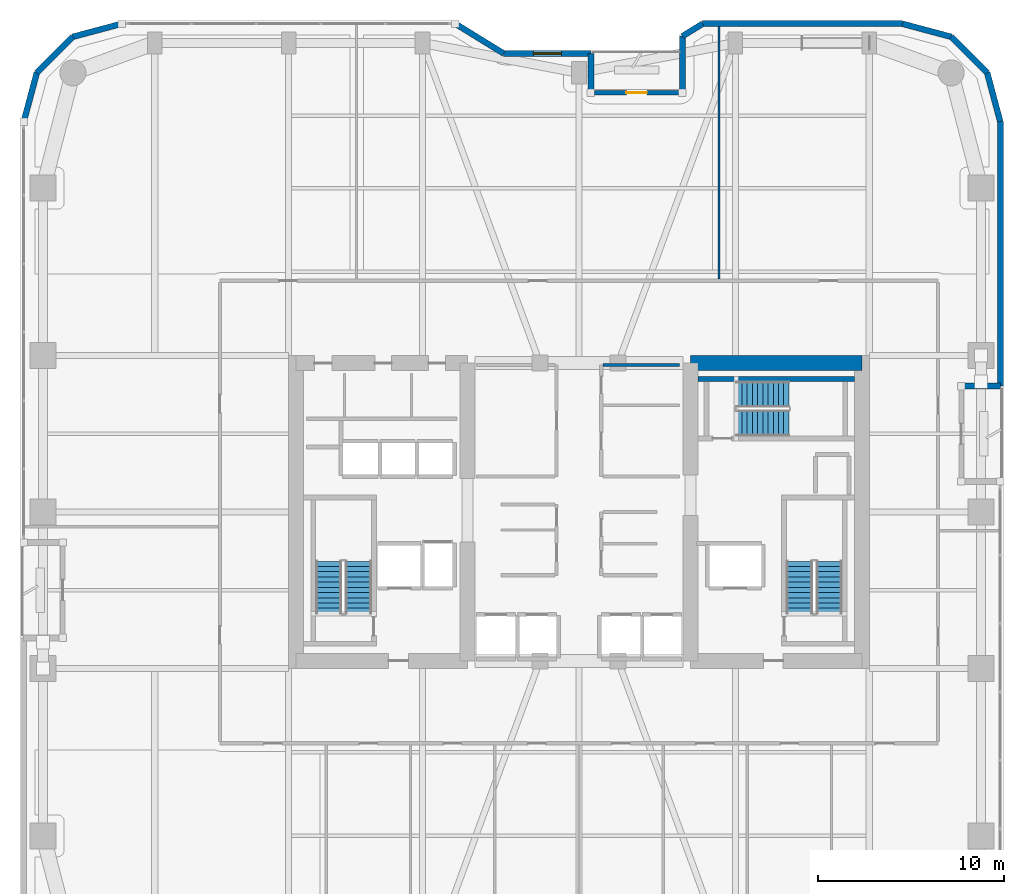
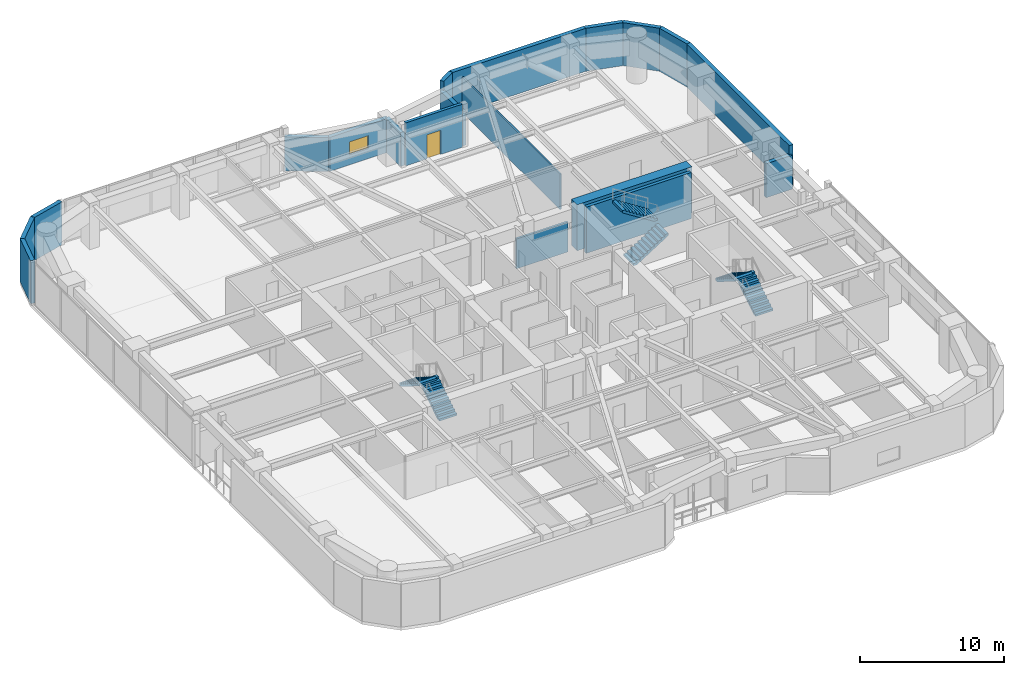
# One storey, part 21 of 24: 19 walls, 6 stair flights, 1 door, 1 window, 2 openings, 3 elements without a shape of their own.
"""IFC4 building model written with IfcOpenShell, lengths in metres."""

import ifcopenshell
import ifcopenshell.guid

model = None  # the IFC model being written
_history = None  # IfcOwnerHistory: only IFC2X3 demands one
_inside = {}  # id of a spatial element -> (the spatial element, [elements in it])
_under = {}  # id of a project, library or spatial element -> (it, [spatial elements below it])
_declared = {}  # id of a project -> (the project, [libraries it declares])
_typed = {}  # id of a type object -> (the type object, [elements of that type])
_made_of = {}  # id of a material, layer set ... -> (it, [elements and type objects made of it])


def new_model(schema):
    """Start an empty IFC model of exactly this schema.

    Asked for "IFC4X3", IfcOpenShell would pick the latest addendum, in which some entities
    have other attributes; the version numbers below select the first issue.
    IFC2X3 requires an IfcOwnerHistory on every rooted entity: one is made here for all.
    """
    global model, _history
    if schema == "IFC4X3":
        model = ifcopenshell.file(schema_version=(4, 3, 0, 0))
    else:
        model = ifcopenshell.file(schema=schema)
    _inside.clear()
    _under.clear()
    _declared.clear()
    _typed.clear()
    _made_of.clear()
    _history = None
    if model.schema == "IFC2X3":
        org = make("IfcOrganization", Name="unknown")
        user = make(
            "IfcPersonAndOrganization",
            ThePerson=make("IfcPerson", FamilyName="unknown"),
            TheOrganization=org,
        )
        app = make(
            "IfcApplication",
            ApplicationDeveloper=org,
            Version="unknown",
            ApplicationFullName="unknown",
            ApplicationIdentifier="unknown",
        )
        _history = make(
            "IfcOwnerHistory",
            OwningUser=user,
            OwningApplication=app,
            ChangeAction="ADDED",
            CreationDate=0,
        )
    return model


def make(cls, **values):
    """One entity of the class cls with the attributes given. An attribute that is None is left unset."""
    return model.create_entity(
        cls, **{name: value for name, value in values.items() if value is not None}
    )


def rooted(cls, **values):
    """An entity with a GlobalId (a new one), such as an element, a storey or a relation."""
    return make(cls, GlobalId=ifcopenshell.guid.new(), OwnerHistory=_history, **values)


def si_unit(unit_type, name, prefix=None):
    """IfcSIUnit, for example si_unit("LENGTHUNIT", "METRE", prefix="MILLI")."""
    return make("IfcSIUnit", UnitType=unit_type, Prefix=prefix, Name=name)


def assignment(units):
    """IfcUnitAssignment: the units of a project."""
    return None if units is None else make("IfcUnitAssignment", Units=units)


def point(xyz):
    """IfcCartesianPoint."""
    return None if xyz is None else make("IfcCartesianPoint", Coordinates=xyz)


def direction(xyz):
    """IfcDirection."""
    return None if xyz is None else make("IfcDirection", DirectionRatios=xyz)


def frame(location, z_axis=None, x_axis=None):
    """IfcAxis2Placement3D, a coordinate frame: its origin and axes. An axis left out is left unset."""
    return make(
        "IfcAxis2Placement3D",
        Location=point(location),
        Axis=direction(z_axis),
        RefDirection=direction(x_axis),
    )


def frame_2d(location, x_axis=None):
    """IfcAxis2Placement2D, a coordinate frame in the plane: its origin and x axis."""
    return make(
        "IfcAxis2Placement2D", Location=point(location), RefDirection=direction(x_axis)
    )


def origin():
    """The frame at (0, 0, 0) with its axes left unset."""
    return frame((0.0, 0.0, 0.0))


def place(relative_to, where):
    """IfcLocalPlacement: puts the frame where relative to a parent placement (None: the world)."""
    return make(
        "IfcLocalPlacement", PlacementRelTo=relative_to, RelativePlacement=where
    )


def context(
    kind, dimensions, precision=None, world=None, true_north=None, identifier=None
):
    """IfcGeometricRepresentationContext, for example the 3D "Model" context."""
    return make(
        "IfcGeometricRepresentationContext",
        ContextIdentifier=identifier,
        ContextType=kind,
        CoordinateSpaceDimension=dimensions,
        Precision=precision,
        WorldCoordinateSystem=world,
        TrueNorth=true_north,
    )


def subcontext(parent, identifier, kind, view, scale=None):
    """IfcGeometricRepresentationSubContext, for example "Body" below "Model"."""
    return make(
        "IfcGeometricRepresentationSubContext",
        ContextIdentifier=identifier,
        ContextType=kind,
        ParentContext=parent,
        TargetScale=scale,
        TargetView=view,
    )


def project(units=None, contexts=None):
    """IfcProject with its units and contexts."""
    return rooted(
        "IfcProject",
        Name="project",
        RepresentationContexts=contexts,
        UnitsInContext=assignment(units),
    )


def spatial(cls, under=None, at=None, **own):
    """A site, building, storey or space (cls), placed at a placement, below another one or the project."""
    s = rooted(cls, ObjectPlacement=at, **own)
    if under is not None:
        _under.setdefault(under.id(), (under, []))[1].append(s)
    return s


def polyline(points):
    """IfcPolyline through the points."""
    return make("IfcPolyline", Points=[point(p) for p in points])


def profile(cls, at=None, kind="AREA", **sizes):
    """A parametric profile (cls). Its sizes go by their IFC names, for example OverallWidth=200.0."""
    return make(cls, ProfileType=kind, Position=at, **sizes)


def rectangle(**sizes):
    """IfcRectangleProfileDef."""
    return profile("IfcRectangleProfileDef", **sizes)


def outline(outer, holes=None, kind="AREA"):
    """IfcArbitraryClosedProfileDef: a profile drawn as a closed curve; with holes, ...WithVoids."""
    if holes is None:
        return make("IfcArbitraryClosedProfileDef", ProfileType=kind, OuterCurve=outer)
    return make(
        "IfcArbitraryProfileDefWithVoids",
        ProfileType=kind,
        OuterCurve=outer,
        InnerCurves=holes,
    )


def extrude(swept, where, along, depth):
    """IfcExtrudedAreaSolid: the profile swept, set in the frame where, extruded along a direction by depth."""
    return make(
        "IfcExtrudedAreaSolid",
        SweptArea=swept,
        Position=where,
        ExtrudedDirection=direction(along),
        Depth=depth,
    )


def shape(context_of_items, identifier, shape_type, items):
    """IfcShapeRepresentation: the items that make up one representation, for example the "Body"."""
    return make(
        "IfcShapeRepresentation",
        ContextOfItems=context_of_items,
        RepresentationIdentifier=identifier,
        RepresentationType=shape_type,
        Items=items,
    )


def material(Name=None, Category=None):
    """IfcMaterial."""
    return make("IfcMaterial", Name=Name, Category=Category)


def layer(
    of_material, thickness, ventilated=None, Name=None, Category=None, Priority=None
):
    """IfcMaterialLayer: one layer of a wall or slab, of a material (None: an air gap)."""
    return make(
        "IfcMaterialLayer",
        Material=of_material,
        LayerThickness=thickness,
        IsVentilated=ventilated,
        Name=Name,
        Category=Category,
        Priority=Priority,
    )


def layer_set(layers, Name=None):
    """IfcMaterialLayerSet."""
    return make("IfcMaterialLayerSet", MaterialLayers=layers, LayerSetName=Name)


def made_of(thing, what):
    """Note that an element or type object is made of a material, layer set ...; save() writes the relation."""
    if what is not None:
        _made_of.setdefault(what.id(), (what, []))[1].append(thing)
    return thing


def type_object(cls, material=None, **own):
    """A type object (cls), such as IfcWallType, which elements share."""
    return made_of(rooted(cls, **own), material)


def element(
    cls,
    number,
    at=None,
    inside=None,
    cuts=None,
    type_object=None,
    material=None,
    context=None,
    identifier="Body",
    shape_type=None,
    held_by="IfcProductDefinitionShape",
    body=None,
    shapes=None,
    **own,
):
    """One element of the class cls, such as IfcWall. Its Tag is "e" and its number.

    at: its placement. inside: the storey or other place that contains it. cuts: it is an
    opening in that element (IfcRelVoidsElement). A single representation is given by context,
    identifier, shape_type and body (its items); several are given by shapes. held_by: the class
    of the entity that holds the representations. save() writes the other relations.
    """
    e = rooted(cls, Tag="e%d" % number, ObjectPlacement=at, **own)
    if body is not None:
        shapes = [shape(context, identifier, shape_type, body)]
    if shapes is not None:
        e.Representation = make(held_by, Representations=shapes)
    if inside is not None:
        _inside.setdefault(inside.id(), (inside, []))[1].append(e)
    if cuts is not None:
        rooted(
            "IfcRelVoidsElement", RelatingBuildingElement=cuts, RelatedOpeningElement=e
        )
    if type_object is not None:
        _typed.setdefault(type_object.id(), (type_object, []))[1].append(e)
    return made_of(e, material)


def fill(opening, filler):
    """IfcRelFillsElement: the door or window that sits in an opening."""
    return rooted(
        "IfcRelFillsElement",
        RelatingOpeningElement=opening,
        RelatedBuildingElement=filler,
    )


def aggregate(whole, parts):
    """IfcRelAggregates: a whole, such as a stair, and the parts it consists of."""
    return rooted("IfcRelAggregates", RelatingObject=whole, RelatedObjects=parts)


def save(model, path):
    """Write the relations noted so far, then the file.

    IfcRelAggregates (storeys below a building ...), IfcRelContainedInSpatialStructure (elements
    in a storey), IfcRelDefinesByType, IfcRelAssociatesMaterial and IfcRelDeclares: one each for
    every whole, place, type object, material and project.
    """
    for whole, parts in _under.values():
        aggregate(whole, parts)
    for where, things in _inside.values():
        rooted(
            "IfcRelContainedInSpatialStructure",
            RelatedElements=things,
            RelatingStructure=where,
        )
    for kind, things in _typed.values():
        rooted("IfcRelDefinesByType", RelatedObjects=things, RelatingType=kind)
    for what, things in _made_of.values():
        rooted("IfcRelAssociatesMaterial", RelatedObjects=things, RelatingMaterial=what)
    for by, libraries in _declared.values():
        rooted("IfcRelDeclares", RelatingContext=by, RelatedDefinitions=libraries)
    model.write(path)


model = new_model("IFC4")

# Units and contexts
model_context = context("Model", 3, precision=1e-05, world=origin(), true_north=direction((0.0, 1.0)))
body_context = subcontext(model_context, "Body", "Model", "MODEL_VIEW")
ifc_project = project(units=[si_unit("LENGTHUNIT", "METRE"), si_unit("AREAUNIT", "SQUARE_METRE"), si_unit("VOLUMEUNIT", "CUBIC_METRE"), si_unit("PLANEANGLEUNIT", "RADIAN"), si_unit("MASSUNIT", "GRAM", prefix="KILO")], contexts=[model_context])

# Site, building, storey
site_placement = place(None, origin())
site = spatial("IfcSite", under=ifc_project, at=site_placement, CompositionType="ELEMENT")
building_placement = place(site_placement, origin())
building = spatial("IfcBuilding", under=site, at=building_placement, Name="Kiyonajd Concourse Tower", CompositionType="ELEMENT")
storey_placement = place(building_placement, frame((0.0, 0.0, 109.199951171875)))
storey = spatial("IfcBuildingStorey", under=building, at=storey_placement, Name="L28", CompositionType="ELEMENT", Elevation=109.199951171875)

# Walls
ifc_material_1 = material(Name="Concrete C70/85", Category="concrete")
ifc_layer_1 = layer(ifc_material_1, 0.800048828125)
ifc_layer_set_1 = layer_set([ifc_layer_1], Name="Concrete C70/85")
wall_type_1 = type_object("IfcWallType", Name="WL-CORE-800", PredefinedType="SHEAR", material=ifc_layer_set_1)
wall_1_placement = place(storey_placement, frame((54.0, 44.0, 0.0), z_axis=(0.0, 0.0, 1.0), x_axis=(1.0, 0.0, 0.0)))
element("IfcWall", 1, at=wall_1_placement, inside=storey, type_object=wall_type_1, Name="L28 East Core North Shear Wall", PredefinedType="SHEAR", context=body_context, shape_type="SweptSolid", body=[
    extrude(rectangle(XDim=9.199951171875, YDim=0.800048828125, at=frame_2d((4.60009765625, 0.0))), origin(), (0.0, 0.0, 1.0), 3.900146484375),
])
ifc_material_2 = material(Name="Precast concrete C50/60", Category="concrete")
ifc_layer_2 = layer(ifc_material_2, 0.320068359375)
ifc_layer_set_2 = layer_set([ifc_layer_2], Name="Precast concrete C50/60")
wall_type_2 = type_object("IfcWallType", Name="WL-EXT-320", PredefinedType="SOLIDWALL", material=ifc_layer_set_2)
wall_2_placement = place(storey_placement, frame((18.159912109375, 56.97900390625, 0.0), z_axis=(0.0, 0.0, 1.0), x_axis=(0.25869736047, 0.965958423373, 0.0)))
element("IfcWall", 2, at=wall_2_placement, inside=storey, type_object=wall_type_2, Name="L28 Exterior Concrete Frame Wall 06", PredefinedType="SOLIDWALL", context=body_context, shape_type="SweptSolid", body=[
    extrude(rectangle(XDim=2.731201171875, YDim=0.320068359375, at=frame_2d((1.36572265625, 0.0))), origin(), (0.0, 0.0, 1.0), 3.64013671875),
])
wall_3_placement = place(storey_placement, frame((18.866455078125, 59.6171875, 0.0), z_axis=(0.0, 0.0, 1.0), x_axis=(0.707106781187, 0.707106781187, 0.0)))
element("IfcWall", 3, at=wall_3_placement, inside=storey, type_object=wall_type_2, Name="L28 Exterior Concrete Frame Wall 07", PredefinedType="SOLIDWALL", context=body_context, shape_type="SweptSolid", body=[
    extrude(rectangle(XDim=2.7099609375, YDim=0.320068359375, at=frame_2d((1.35498046875, 0.0))), origin(), (0.0, 0.0, 1.0), 3.64013671875),
])
wall_4_placement = place(storey_placement, frame((20.78271484375, 61.533447265625, 0.0), z_axis=(0.0, 0.0, 1.0), x_axis=(0.965964405026, 0.25867502435, 0.0)))
element("IfcWall", 4, at=wall_4_placement, inside=storey, type_object=wall_type_2, Name="L28 Exterior Concrete Frame Wall 08", PredefinedType="SOLIDWALL", context=body_context, shape_type="SweptSolid", body=[
    extrude(rectangle(XDim=2.7314453125, YDim=0.320068359375, at=frame_2d((1.36572265625, 0.0))), origin(), (0.0, 0.0, 1.0), 3.64013671875),
])
wall_5_placement = place(storey_placement, frame((41.354736328125, 62.239990234375, 0.0), z_axis=(0.0, 0.0, 1.0), x_axis=(0.851630857047, -0.524142044989, 0.0)))
element("IfcWall", 5, at=wall_5_placement, inside=storey, type_object=wall_type_2, Name="L28 Exterior Concrete Frame Wall 10", PredefinedType="SOLIDWALL", context=body_context, shape_type="SweptSolid", body=[
    extrude(rectangle(XDim=3.052734375, YDim=0.320068359375, at=frame_2d((1.5263671875, 0.0))), origin(), (0.0, 0.0, 1.0), 2.875),
])

# Wall, opening, window
wall_6_placement = place(storey_placement, frame((43.95458984375, 60.639892578125, 0.0), z_axis=(0.0, 0.0, 1.0), x_axis=(1.0, 0.0, 0.0)))
wall_6 = element("IfcWall", 6, at=wall_6_placement, inside=storey, type_object=wall_type_2, Name="L28 Exterior Concrete Frame Wall 11", PredefinedType="SOLIDWALL", context=body_context, shape_type="SweptSolid", body=[
    extrude(rectangle(XDim=4.685302734375, YDim=0.320068359375, at=frame_2d((2.3427734375, 0.0))), origin(), (0.0, 0.0, 1.0), 2.875),
])
opening_1_placement = place(wall_6_placement, frame((1.593017578125, 0.0, 0.85009765625)))
opening_1 = element("IfcOpeningElement", 7, at=opening_1_placement, cuts=wall_6, Name="Opening WN2", PredefinedType="OPENING", context=body_context, shape_type="SweptSolid", body=[
    extrude(rectangle(XDim=1.5, YDim=1.10009765625, at=frame_2d((0.75, 0.550048828125))), frame((0.0, 0.169921875, 0.0), z_axis=(0.0, -1.0, 0.0), x_axis=(1.0, 0.0, 0.0)), (0.0, 0.0, 1.0), 0.340087890625),
])
ifc_material_3 = material(Name="Double Low-E Insulated Glass", Category="glass")
window_type = type_object("IfcWindowType", Name="WN-VIS-1500x1100", PartitioningType="SINGLE_PANEL", PredefinedType="WINDOW", material=ifc_material_3)
window_placement = place(opening_1_placement, origin())
window = element("IfcWindow", 8, at=window_placement, inside=storey, type_object=window_type, Name="L28 Modular Facade Vision Window 11", OverallHeight=1.10009765625, OverallWidth=1.5, PartitioningType="SINGLE_PANEL", PredefinedType="WINDOW", context=body_context, shape_type="SweptSolid", body=[
    extrude(rectangle(XDim=1.5, YDim=1.10009765625, at=frame_2d((0.75, 0.550048828125))), frame((0.0, 0.030029296875, 0.0), z_axis=(0.0, -1.0, 0.0), x_axis=(1.0, 0.0, 0.0)), (0.0, 0.0, 1.0), 0.06005859375),
])
fill(opening_1, window)

# Walls
wall_7_placement = place(storey_placement, frame((48.639892578125, 60.639892578125, 0.0), z_axis=(0.0, 0.0, 1.0), x_axis=(0.0, -1.0, 0.0)))
element("IfcWall", 9, at=wall_7_placement, inside=storey, type_object=wall_type_2, Name="L28 Exterior Concrete Frame Wall 12", PredefinedType="SOLIDWALL", context=body_context, shape_type="SweptSolid", body=[
    extrude(rectangle(XDim=2.099853515625, YDim=0.320068359375, at=frame_2d((1.0498046875, 0.0))), origin(), (0.0, 0.0, 1.0), 2.875),
])
wall_8_placement = place(storey_placement, frame((53.56005859375, 58.5400390625, 0.0), z_axis=(0.0, 0.0, 1.0), x_axis=(0.0, 1.0, 0.0)))
element("IfcWall", 10, at=wall_8_placement, inside=storey, type_object=wall_type_2, Name="L28 Exterior Concrete Frame Wall 14", PredefinedType="SOLIDWALL", context=body_context, shape_type="SweptSolid", body=[
    extrude(rectangle(XDim=3.032470703125, YDim=0.320068359375, at=frame_2d((1.51611328125, 0.0))), origin(), (0.0, 0.0, 1.0), 2.875),
])
wall_9_placement = place(storey_placement, frame((53.56005859375, 61.572509765625, 0.0), z_axis=(0.0, 0.0, 1.0), x_axis=(0.851776724646, 0.523904964045, 0.0)))
element("IfcWall", 11, at=wall_9_placement, inside=storey, type_object=wall_type_2, Name="L28 Exterior Concrete Frame Wall 15", PredefinedType="SOLIDWALL", context=body_context, shape_type="SweptSolid", body=[
    extrude(rectangle(XDim=1.274169921875, YDim=0.320068359375, at=frame_2d((0.63720703125, 0.0))), origin(), (0.0, 0.0, 1.0), 3.64013671875),
])
wall_10_placement = place(storey_placement, frame((54.645263671875, 62.239990234375, 0.0), z_axis=(0.0, 0.0, 1.0), x_axis=(1.0, 0.0, 0.0)))
element("IfcWall", 12, at=wall_10_placement, inside=storey, type_object=wall_type_2, Name="L28 Exterior Concrete Frame Wall 16", PredefinedType="SOLIDWALL", context=body_context, shape_type="SweptSolid", body=[
    extrude(rectangle(XDim=10.733642578125, YDim=0.320068359375, at=frame_2d((5.36669921875, 0.0))), origin(), (0.0, 0.0, 1.0), 3.64013671875),
])
wall_11_placement = place(storey_placement, frame((65.37890625, 62.239990234375, 0.0), z_axis=(0.0, 0.0, 1.0), x_axis=(0.965958423373, -0.25869736047, 0.0)))
element("IfcWall", 13, at=wall_11_placement, inside=storey, type_object=wall_type_2, Name="L28 Exterior Concrete Frame Wall 17", PredefinedType="SOLIDWALL", context=body_context, shape_type="SweptSolid", body=[
    extrude(rectangle(XDim=2.731201171875, YDim=0.320068359375, at=frame_2d((1.36572265625, 0.0))), origin(), (0.0, 0.0, 1.0), 3.64013671875),
])
wall_12_placement = place(storey_placement, frame((68.01708984375, 61.533447265625, 0.0), z_axis=(0.0, 0.0, 1.0), x_axis=(0.707151821269, -0.707061738235, 0.0)))
element("IfcWall", 14, at=wall_12_placement, inside=storey, type_object=wall_type_2, Name="L28 Exterior Concrete Frame Wall 18", PredefinedType="SOLIDWALL", context=body_context, shape_type="SweptSolid", body=[
    extrude(rectangle(XDim=2.710205078125, YDim=0.320068359375, at=frame_2d((1.35498046875, 0.0))), origin(), (0.0, 0.0, 1.0), 3.64013671875),
])
wall_13_placement = place(storey_placement, frame((69.93359375, 59.6171875, 0.0), z_axis=(0.0, 0.0, 1.0), x_axis=(0.258613949072, -0.965980758269, 0.0)))
element("IfcWall", 15, at=wall_13_placement, inside=storey, type_object=wall_type_2, Name="L28 Exterior Concrete Frame Wall 19", PredefinedType="SOLIDWALL", context=body_context, shape_type="SweptSolid", body=[
    extrude(rectangle(XDim=2.731201171875, YDim=0.320068359375, at=frame_2d((1.36572265625, 0.0))), origin(), (0.0, 0.0, 1.0), 3.64013671875),
])
wall_14_placement = place(storey_placement, frame((70.639892578125, 56.97900390625, 0.0), z_axis=(0.0, 0.0, 1.0), x_axis=(0.0, -1.0, 0.0)))
element("IfcWall", 16, at=wall_14_placement, inside=storey, type_object=wall_type_2, Name="L28 Exterior Concrete Frame Wall 20", PredefinedType="SOLIDWALL", context=body_context, shape_type="SweptSolid", body=[
    extrude(rectangle(XDim=14.218994140625, YDim=0.320068359375, at=frame_2d((7.109375, 0.0))), origin(), (0.0, 0.0, 1.0), 3.64013671875),
])
wall_15_placement = place(storey_placement, frame((70.639892578125, 42.760009765625, 0.0), z_axis=(0.0, 0.0, 1.0), x_axis=(-1.0, 0.0, 0.0)))
element("IfcWall", 17, at=wall_15_placement, inside=storey, type_object=wall_type_2, Name="L28 Exterior Concrete Frame Wall 21", PredefinedType="SOLIDWALL", context=body_context, shape_type="SweptSolid", body=[
    extrude(rectangle(XDim=2.099853515625, YDim=0.320068359375, at=frame_2d((1.0498046875, 0.0))), origin(), (0.0, 0.0, 1.0), 2.875),
])

# Wall, opening, door
ifc_layer_3 = layer(ifc_material_2, 0.239990234375)
ifc_layer_set_3 = layer_set([ifc_layer_3], Name="Precast concrete C50/60")
wall_type_3 = type_object("IfcWallType", Name="WL-LOG-240", PredefinedType="SOLIDWALL", material=ifc_layer_set_3)
wall_16_placement = place(storey_placement, frame((48.8349609375, 58.5400390625, 0.0), z_axis=(0.0, 0.0, 1.0), x_axis=(1.0, 0.0, 0.0)))
wall_16 = element("IfcWall", 18, at=wall_16_placement, inside=storey, type_object=wall_type_3, Name="L28 Recessed Loggia Thermal Wall LOG-N", PredefinedType="SOLIDWALL", context=body_context, shape_type="SweptSolid", body=[
    extrude(rectangle(XDim=4.530029296875, YDim=0.239990234375, at=frame_2d((2.26513671875, 0.0))), origin(), (0.0, 0.0, 1.0), 3.64013671875),
])
opening_2_placement = place(wall_16_placement, frame((1.715087890625, 0.0, 0.0)))
opening_2 = element("IfcOpeningElement", 19, at=opening_2_placement, cuts=wall_16, Name="Opening DL2", PredefinedType="OPENING", context=body_context, shape_type="SweptSolid", body=[
    extrude(rectangle(XDim=1.10009765625, YDim=2.0400390625, at=frame_2d((0.550048828125, 1.02001953125))), frame((0.0, 0.1298828125, 0.0), z_axis=(0.0, -1.0, 0.0), x_axis=(1.0, 0.0, 0.0)), (0.0, 0.0, 1.0), 0.260009765625),
])
ifc_material_4 = material(Name="Thermally Broken Anodised Aluminium", Category="aluminium")
door_type = type_object("IfcDoorType", Name="DR-LOG-1100", OperationType="NOTDEFINED", PredefinedType="DOOR", material=ifc_material_4)
door_placement = place(opening_2_placement, origin())
door = element("IfcDoor", 20, at=door_placement, inside=storey, type_object=door_type, Name="L28 Engawa Loggia Access Door LOG-N", OperationType="SINGLE_SWING_RIGHT", OverallHeight=2.0400390625, OverallWidth=1.10009765625, PredefinedType="DOOR", context=body_context, shape_type="SweptSolid", body=[
    extrude(rectangle(XDim=1.10009765625, YDim=2.0400390625, at=frame_2d((0.550048828125, 1.02001953125))), frame((0.0, 0.02490234375, 0.0), z_axis=(0.0, -1.0, 0.0), x_axis=(1.0, 0.0, 0.0)), (0.0, 0.0, 1.0), 0.050048828125),
])
fill(opening_2, door)

# Walls
ifc_material_5 = material(Name="Gypsum Board on Cold-Formed Steel Stud", Category="steel")
ifc_layer_4 = layer(ifc_material_5, 0.125)
ifc_layer_set_4 = layer_set([ifc_layer_4], Name="Gypsum Board on Cold-Formed Steel Stud")
wall_type_4 = type_object("IfcWallType", Name="WL-PART-125", PredefinedType="PARTITIONING", material=ifc_layer_set_4)
wall_17_placement = place(storey_placement, frame((55.52001953125, 48.51708984375, 0.0), z_axis=(0.0, 0.0, 1.0), x_axis=(0.0, 1.0, 0.0)))
element("IfcWall", 21, at=wall_17_placement, inside=storey, type_object=wall_type_4, Name="L28 Interior Partition Wall", PredefinedType="PARTITIONING", context=body_context, shape_type="SweptSolid", body=[
    extrude(rectangle(XDim=13.56787109375, YDim=0.125, at=frame_2d((6.783935546875, 0.0))), origin(), (0.0, 0.0, 1.0), 3.0029296875),
])
ifc_layer_5 = layer(ifc_material_5, 0.169921875)
ifc_layer_set_5 = layer_set([ifc_layer_5], Name="Gypsum Board on Cold-Formed Steel Stud")
wall_type_5 = type_object("IfcWallType", Name="WL-SMK-170", PredefinedType="PARTITIONING", material=ifc_layer_set_5)
wall_18_placement = place(storey_placement, frame((49.287109375, 43.89990234375, 0.0), z_axis=(0.0, 0.0, 1.0), x_axis=(1.0, 0.0, 0.0)))
element("IfcWall", 22, at=wall_18_placement, inside=storey, type_object=wall_type_5, Name="L28 Interior Partition Wall", PredefinedType="PARTITIONING", context=body_context, shape_type="SweptSolid", body=[
    extrude(rectangle(XDim=4.11279296875, YDim=0.169921875, at=frame_2d((2.056396484375, 0.0))), origin(), (0.0, 0.0, 1.0), 2.525146484375),
])
ifc_material_6 = material(Name="Concrete C50/60", Category="concrete")
ifc_layer_6 = layer(ifc_material_6, 0.260009765625)
ifc_layer_set_6 = layer_set([ifc_layer_6], Name="Concrete C50/60")
wall_type_6 = type_object("IfcWallType", Name="WL-STAIR-260", PredefinedType="SHEAR", material=ifc_layer_set_6)
wall_19_placement = place(storey_placement, frame((54.39990234375, 43.14990234375, 0.0), z_axis=(0.0, 0.0, 1.0), x_axis=(1.0, 0.0, 0.0)))
element("IfcWall", 23, at=wall_19_placement, inside=storey, type_object=wall_type_6, Name="L28 Stair ST3 Structural North Wall", PredefinedType="SHEAR", context=body_context, shape_type="SweptSolid", body=[
    extrude(rectangle(XDim=8.400146484375, YDim=0.260009765625, at=frame_2d((4.2001953125, 0.0))), origin(), (0.0, 0.0, 1.0), 3.900146484375),
])

# Stair, stair flights
ifc_material_7 = material(Name="Concrete C40/50", Category="concrete")
stair_type = type_object("IfcStairType", Name="ST-DLG-22R", PredefinedType="HALF_TURN_STAIR", material=ifc_material_7)
stair_1_placement = place(storey_placement, origin())
stair_1 = element("IfcStair", 24, at=stair_1_placement, inside=storey, type_object=stair_type, Name="L28 Protected Exit Stair ST1", PredefinedType="HALF_TURN_STAIR")
stair_flight_type = type_object("IfcStairFlightType", Name="SF-STR-22R", PredefinedType="STRAIGHT", material=ifc_material_7)
stair_flight_1_placement = place(storey_placement, frame((36.14990234375, 30.550048828125, 0.0), z_axis=(0.0, 0.0, 1.0), x_axis=(0.0, 1.0, 0.0)))
stair_flight_1 = element("IfcStairFlight", 25, at=stair_flight_1_placement, type_object=stair_flight_type, Name="ST1 flight 1", NumberOfRisers=11, NumberOfTreads=10, PredefinedType="STRAIGHT", RiserHeight=0.177272727, TreadLength=0.28, context=body_context, shape_type="SweptSolid", body=[
    extrude(outline(polyline([(0.0, 0.0), (0.0, 0.17724609375), (0.280029296875, 0.17724609375), (0.280029296875, 0.3544921875), (0.56005859375, 0.3544921875), (0.56005859375, 0.53173828125), (0.840087890625, 0.53173828125), (0.840087890625, 0.708984375), (1.1201171875, 0.708984375), (1.1201171875, 0.886474609375), (1.39990234375, 0.886474609375), (1.39990234375, 1.063720703125), (1.679931640625, 1.063720703125), (1.679931640625, 1.240966796875), (1.9599609375, 1.240966796875), (1.9599609375, 1.418212890625), (2.239990234375, 1.418212890625), (2.239990234375, 1.595458984375), (2.52001953125, 1.595458984375), (2.52001953125, 1.772705078125), (2.800048828125, 1.772705078125), (2.800048828125, 1.949951171875), (2.800048828125, 1.59521484375), (0.2802734375, 0.0), (0.0, 0.0)])), frame((0.0, 0.699951171875, 0.0), z_axis=(0.0, -1.0, 0.0), x_axis=(1.0, 0.0, 0.0)), (0.0, 0.0, 1.0), 1.39990234375),
])
stair_flight_2_placement = place(storey_placement, frame((34.550048828125, 33.35009765625, 1.949951171875), z_axis=(0.0, 0.0, 1.0), x_axis=(0.0, -1.0, 0.0)))
stair_flight_2 = element("IfcStairFlight", 26, at=stair_flight_2_placement, type_object=stair_flight_type, Name="ST1 flight 2", NumberOfRisers=11, NumberOfTreads=10, PredefinedType="STRAIGHT", RiserHeight=0.177272727, TreadLength=0.28, context=body_context, shape_type="SweptSolid", body=[
    extrude(outline(polyline([(0.0, 0.0), (0.0, 0.17724609375), (0.280029296875, 0.17724609375), (0.280029296875, 0.3544921875), (0.56005859375, 0.3544921875), (0.56005859375, 0.53173828125), (0.840087890625, 0.53173828125), (0.840087890625, 0.708984375), (1.1201171875, 0.708984375), (1.1201171875, 0.886474609375), (1.39990234375, 0.886474609375), (1.39990234375, 1.063720703125), (1.679931640625, 1.063720703125), (1.679931640625, 1.240966796875), (1.9599609375, 1.240966796875), (1.9599609375, 1.418212890625), (2.239990234375, 1.418212890625), (2.239990234375, 1.595458984375), (2.52001953125, 1.595458984375), (2.52001953125, 1.772705078125), (2.800048828125, 1.772705078125), (2.800048828125, 1.949951171875), (2.800048828125, 1.59521484375), (0.2802734375, 0.0), (0.0, 0.0)])), frame((0.0, 0.699951171875, 0.0), z_axis=(0.0, -1.0, 0.0), x_axis=(1.0, 0.0, 0.0)), (0.0, 0.0, 1.0), 1.39990234375),
])
aggregate(stair_1, [stair_flight_1, stair_flight_2])

stair_2_placement = place(storey_placement, origin())
stair_2 = element("IfcStair", 27, at=stair_2_placement, inside=storey, type_object=stair_type, Name="L28 Protected Exit Stair ST2", PredefinedType="HALF_TURN_STAIR")
stair_flight_3_placement = place(storey_placement, frame((61.449951171875, 30.550048828125, 0.0), z_axis=(0.0, 0.0, 1.0), x_axis=(0.0, 1.0, 0.0)))
stair_flight_3 = element("IfcStairFlight", 28, at=stair_flight_3_placement, type_object=stair_flight_type, Name="ST2 flight 1", NumberOfRisers=11, NumberOfTreads=10, PredefinedType="STRAIGHT", RiserHeight=0.177272727, TreadLength=0.28, context=body_context, shape_type="SweptSolid", body=[
    extrude(outline(polyline([(0.0, 0.0), (0.0, 0.17724609375), (0.280029296875, 0.17724609375), (0.280029296875, 0.3544921875), (0.56005859375, 0.3544921875), (0.56005859375, 0.53173828125), (0.840087890625, 0.53173828125), (0.840087890625, 0.708984375), (1.1201171875, 0.708984375), (1.1201171875, 0.886474609375), (1.39990234375, 0.886474609375), (1.39990234375, 1.063720703125), (1.679931640625, 1.063720703125), (1.679931640625, 1.240966796875), (1.9599609375, 1.240966796875), (1.9599609375, 1.418212890625), (2.239990234375, 1.418212890625), (2.239990234375, 1.595458984375), (2.52001953125, 1.595458984375), (2.52001953125, 1.772705078125), (2.800048828125, 1.772705078125), (2.800048828125, 1.949951171875), (2.800048828125, 1.59521484375), (0.2802734375, 0.0), (0.0, 0.0)])), frame((0.0, 0.699951171875, 0.0), z_axis=(0.0, -1.0, 0.0), x_axis=(1.0, 0.0, 0.0)), (0.0, 0.0, 1.0), 1.39990234375),
])
stair_flight_4_placement = place(storey_placement, frame((59.85009765625, 33.35009765625, 1.949951171875), z_axis=(0.0, 0.0, 1.0), x_axis=(0.0, -1.0, 0.0)))
stair_flight_4 = element("IfcStairFlight", 29, at=stair_flight_4_placement, type_object=stair_flight_type, Name="ST2 flight 2", NumberOfRisers=11, NumberOfTreads=10, PredefinedType="STRAIGHT", RiserHeight=0.177272727, TreadLength=0.28, context=body_context, shape_type="SweptSolid", body=[
    extrude(outline(polyline([(0.0, 0.0), (0.0, 0.17724609375), (0.280029296875, 0.17724609375), (0.280029296875, 0.3544921875), (0.56005859375, 0.3544921875), (0.56005859375, 0.53173828125), (0.840087890625, 0.53173828125), (0.840087890625, 0.708984375), (1.1201171875, 0.708984375), (1.1201171875, 0.886474609375), (1.39990234375, 0.886474609375), (1.39990234375, 1.063720703125), (1.679931640625, 1.063720703125), (1.679931640625, 1.240966796875), (1.9599609375, 1.240966796875), (1.9599609375, 1.418212890625), (2.239990234375, 1.418212890625), (2.239990234375, 1.595458984375), (2.52001953125, 1.595458984375), (2.52001953125, 1.772705078125), (2.800048828125, 1.772705078125), (2.800048828125, 1.949951171875), (2.800048828125, 1.59521484375), (0.2802734375, 0.0), (0.0, 0.0)])), frame((0.0, 0.699951171875, 0.0), z_axis=(0.0, -1.0, 0.0), x_axis=(1.0, 0.0, 0.0)), (0.0, 0.0, 1.0), 1.39990234375),
])
aggregate(stair_2, [stair_flight_3, stair_flight_4])

stair_3_placement = place(storey_placement, origin())
stair_3 = element("IfcStair", 30, at=stair_3_placement, inside=storey, type_object=stair_type, Name="L28 Protected Exit Stair ST3", PredefinedType="HALF_TURN_STAIR")
stair_flight_5_placement = place(storey_placement, frame((56.47998046875, 40.780029296875, 0.0), z_axis=(0.0, 0.0, 1.0), x_axis=(1.0, 0.0, 0.0)))
stair_flight_5 = element("IfcStairFlight", 31, at=stair_flight_5_placement, type_object=stair_flight_type, Name="ST3 flight 1", NumberOfRisers=11, NumberOfTreads=10, PredefinedType="STRAIGHT", RiserHeight=0.177272727, TreadLength=0.28, context=body_context, shape_type="SweptSolid", body=[
    extrude(outline(polyline([(0.0, 0.0), (0.0, 0.17724609375), (0.280029296875, 0.17724609375), (0.280029296875, 0.3544921875), (0.56005859375, 0.3544921875), (0.56005859375, 0.53173828125), (0.840087890625, 0.53173828125), (0.840087890625, 0.708984375), (1.1201171875, 0.708984375), (1.1201171875, 0.886474609375), (1.39990234375, 0.886474609375), (1.39990234375, 1.063720703125), (1.679931640625, 1.063720703125), (1.679931640625, 1.240966796875), (1.9599609375, 1.240966796875), (1.9599609375, 1.418212890625), (2.239990234375, 1.418212890625), (2.239990234375, 1.595458984375), (2.52001953125, 1.595458984375), (2.52001953125, 1.772705078125), (2.800048828125, 1.772705078125), (2.800048828125, 1.949951171875), (2.800048828125, 1.59521484375), (0.2802734375, 0.0), (0.0, 0.0)])), frame((0.0, 0.699951171875, 0.0), z_axis=(0.0, -1.0, 0.0), x_axis=(1.0, 0.0, 0.0)), (0.0, 0.0, 1.0), 1.39990234375),
])
stair_flight_6_placement = place(storey_placement, frame((59.280029296875, 42.320068359375, 1.949951171875), z_axis=(0.0, 0.0, 1.0), x_axis=(-1.0, 0.0, 0.0)))
stair_flight_6 = element("IfcStairFlight", 32, at=stair_flight_6_placement, type_object=stair_flight_type, Name="ST3 flight 2", NumberOfRisers=11, NumberOfTreads=10, PredefinedType="STRAIGHT", RiserHeight=0.177272727, TreadLength=0.28, context=body_context, shape_type="SweptSolid", body=[
    extrude(outline(polyline([(0.0, 0.0), (0.0, 0.17724609375), (0.280029296875, 0.17724609375), (0.280029296875, 0.3544921875), (0.56005859375, 0.3544921875), (0.56005859375, 0.53173828125), (0.840087890625, 0.53173828125), (0.840087890625, 0.708984375), (1.1201171875, 0.708984375), (1.1201171875, 0.886474609375), (1.39990234375, 0.886474609375), (1.39990234375, 1.063720703125), (1.679931640625, 1.063720703125), (1.679931640625, 1.240966796875), (1.9599609375, 1.240966796875), (1.9599609375, 1.418212890625), (2.239990234375, 1.418212890625), (2.239990234375, 1.595458984375), (2.52001953125, 1.595458984375), (2.52001953125, 1.772705078125), (2.800048828125, 1.772705078125), (2.800048828125, 1.949951171875), (2.800048828125, 1.59521484375), (0.2802734375, 0.0), (0.0, 0.0)])), frame((0.0, 0.699951171875, 0.0), z_axis=(0.0, -1.0, 0.0), x_axis=(1.0, 0.0, 0.0)), (0.0, 0.0, 1.0), 1.39990234375),
])
aggregate(stair_3, [stair_flight_5, stair_flight_6])

save(model, "model.ifc")
